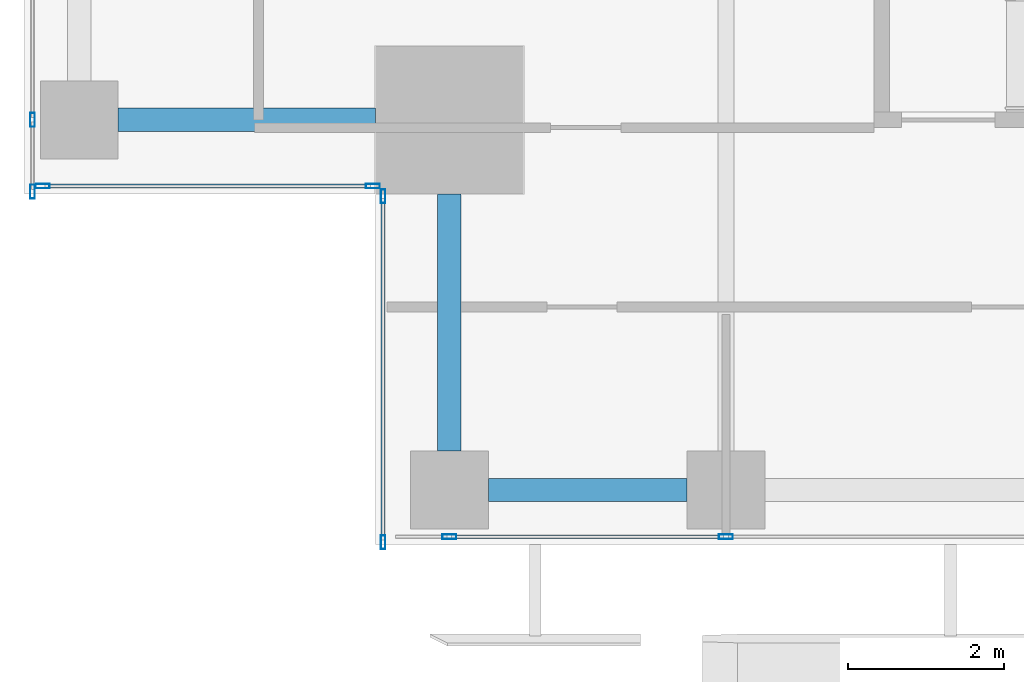
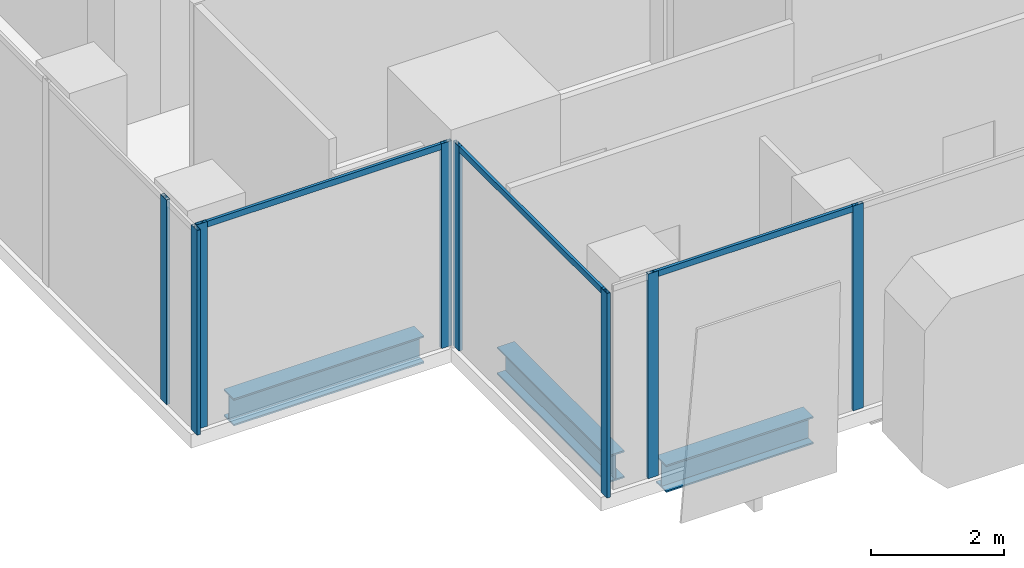
# One storey, part 2 of 38: 11 members, 3 beams, 4 elements without a shape of their own.
"""IFC4 building model written with IfcOpenShell, lengths in metres."""

from ifc_helpers import new_model, si_unit, direction, frame, origin, origin_2d, place, context, subcontext, project, spatial, hollow_rectangle, i_section, extrude, source, transform, mapped, material, material_profile, profile_set, type_object, element, aggregate, save


model = new_model("IFC4")

# Units and contexts
model_context = context("Model", 3, precision=1e-05, world=origin(), true_north=direction((0.0, 1.0)))
body_context = subcontext(model_context, "Body", "Model", "MODEL_VIEW")
ifc_project = project(units=[si_unit("LENGTHUNIT", "METRE"), si_unit("AREAUNIT", "SQUARE_METRE"), si_unit("VOLUMEUNIT", "CUBIC_METRE"), si_unit("PLANEANGLEUNIT", "RADIAN"), si_unit("MASSUNIT", "GRAM", prefix="KILO")], contexts=[model_context])

# Site, building, storey
site_placement = place(None, origin())
site = spatial("IfcSite", under=ifc_project, at=site_placement, CompositionType="ELEMENT")
building_placement = place(site_placement, origin())
building = spatial("IfcBuilding", under=site, at=building_placement, Name="Khomas Fold Tower", CompositionType="ELEMENT")
storey_placement = place(building_placement, frame((0.0, 0.0, 172.699951171875)))
storey = spatial("IfcBuildingStorey", under=building, at=storey_placement, Name="L37", CompositionType="ELEMENT", Elevation=172.699951171875)

# Beams
ifc_material_1 = material(Name="Steel S355", Category="steel")
ifc_material_profile_1 = material_profile(ifc_material_1, i_section(OverallWidth=0.300048828125, OverallDepth=0.5, WebThickness=0.014404296875, FlangeThickness=0.028076171875, at=origin_2d()), Name="HE 500 B")
ifc_profile_set_1 = profile_set([ifc_material_profile_1], Name="Steel S355")
beam_type = type_object("IfcBeamType", Name="HE 500 B spandrel SB3", PredefinedType="SPANDREL", material=ifc_profile_set_1)
shared_shape_1 = source(origin(), body_context, "Body", "SweptSolid", [
    extrude(i_section(OverallWidth=0.300048828125, OverallDepth=0.5, WebThickness=0.014404296875, FlangeThickness=0.028076171875, at=origin_2d()), origin(), (0.0, 0.0, 1.0), 2.550048828125),
])
beam_placement = place(storey_placement, frame((8.949951171875, 3.699951171875, -0.5), z_axis=(1.0, 0.0, 0.0), x_axis=(0.0, 1.0, 0.0)))
element("IfcBeam", 1, at=beam_placement, inside=storey, type_object=beam_type, Name="SB3", PredefinedType="SPANDREL", context=body_context, shape_type="MappedRepresentation", body=[
    mapped(shared_shape_1, transform((0.0, 0.0, 0.0))),
])
shared_shape_2 = source(origin(), body_context, "Body", "SweptSolid", [
    extrude(i_section(OverallWidth=0.300048828125, OverallDepth=0.5, WebThickness=0.014404296875, FlangeThickness=0.028076171875, at=origin_2d()), origin(), (0.0, 0.0, 1.0), 3.300048828125),
])
for number, where, z_axis, x_axis, name in (
    (2, (4.199951171875, 8.449951171875, -0.5), (1.0, 0.0, 0.0), (0.0, 1.0, 0.0), "SB3"),
    (3, (8.449951171875, 4.199951171875, -0.5), (0.0, 1.0, 0.0), (-1.0, 0.0, 0.0), "SB3"),
):
    element("IfcBeam", number, at=place(storey_placement, frame(where, z_axis=z_axis, x_axis=x_axis)), inside=storey, type_object=beam_type, Name=name, PredefinedType="SPANDREL", context=body_context, shape_type="MappedRepresentation", body=[
        mapped(shared_shape_2, transform((0.0, 0.0, 0.0))),
    ])

# Curtain wall, members
ifc_material_2 = material(Name="Aluminium framed double glazing", Category="aluminium")
curtain_wall_type = type_object("IfcCurtainWallType", Name="SK-Unitised clear-glass wall, office floors CW2", PredefinedType="NOTDEFINED", material=ifc_material_2)
curtain_wall_1_placement = place(storey_placement, origin())
curtain_wall_1 = element("IfcCurtainWall", 4, at=curtain_wall_1_placement, inside=storey, type_object=curtain_wall_type, Name="CW2 corner return L37 00", PredefinedType="NOTDEFINED")
ifc_material_3 = material(Name="Aluminium", Category="aluminium")
ifc_material_profile_2 = material_profile(ifc_material_3, hollow_rectangle(XDim=0.06005859375, YDim=0.179931640625, WallThickness=0.00390625, at=origin_2d()), Name="SK-Unitised clear-glass wall, office floors mullion CW2-M")
ifc_profile_set_2 = profile_set([ifc_material_profile_2], Name="Aluminium")
member_type_1 = type_object("IfcMemberType", Name="SK-Unitised clear-glass wall, office floors mullion CW2-M", PredefinedType="MULLION", material=ifc_profile_set_2)
shared_shape_3 = source(origin(), body_context, "Body", "SweptSolid", [
    extrude(hollow_rectangle(XDim=0.06005859375, YDim=0.179931640625, WallThickness=0.00390625, at=origin_2d()), origin(), (0.0, 0.0, 1.0), 3.75),
])
member_1_placement = place(storey_placement, frame((7.60009765625, 7.469970703125, 0.0), z_axis=(0.0, 0.0, 1.0), x_axis=(1.0, 0.0, 0.0)))
member_1 = element("IfcMember", 5, at=member_1_placement, type_object=member_type_1, Name="CW2 mullion 1", PredefinedType="MULLION", context=body_context, shape_type="MappedRepresentation", body=[
    mapped(shared_shape_3, transform((0.0, 0.0, 0.0))),
])
member_2_placement = place(storey_placement, frame((7.60009765625, 3.030029296875, 0.0), z_axis=(0.0, 0.0, 1.0), x_axis=(1.0, 0.0, 0.0)))
member_2 = element("IfcMember", 6, at=member_2_placement, type_object=member_type_1, Name="CW2 mullion 2", PredefinedType="MULLION", context=body_context, shape_type="MappedRepresentation", body=[
    mapped(shared_shape_3, transform((0.0, 0.0, 0.0))),
])

curtain_wall_2_placement = place(storey_placement, origin())
curtain_wall_2 = element("IfcCurtainWall", 7, at=curtain_wall_2_placement, inside=storey, type_object=curtain_wall_type, Name="CW2 run L37 01-0", PredefinedType="NOTDEFINED")
member_3_placement = place(storey_placement, frame((8.449951171875, 3.10009765625, 0.0), z_axis=(0.0, 0.0, 1.0), x_axis=(0.0, 1.0, 0.0)))
member_3 = element("IfcMember", 8, at=member_3_placement, type_object=member_type_1, Name="CW2 mullion 2", PredefinedType="MULLION", context=body_context, shape_type="MappedRepresentation", body=[
    mapped(shared_shape_3, transform((0.0, 0.0, 0.0))),
])
member_4_placement = place(storey_placement, frame((12.0, 3.10009765625, 0.0), z_axis=(0.0, 0.0, 1.0), x_axis=(0.0, 1.0, 0.0)))
member_4 = element("IfcMember", 9, at=member_4_placement, type_object=member_type_1, Name="CW2 mullion 3", PredefinedType="MULLION", context=body_context, shape_type="MappedRepresentation", body=[
    mapped(shared_shape_3, transform((0.0, 0.0, 0.0))),
])

curtain_wall_3_placement = place(storey_placement, origin())
curtain_wall_3 = element("IfcCurtainWall", 10, at=curtain_wall_3_placement, inside=storey, type_object=curtain_wall_type, Name="CW2 run L37 18-0", PredefinedType="NOTDEFINED")
member_5_placement = place(storey_placement, frame((3.10009765625, 8.449951171875, 0.0), z_axis=(0.0, 0.0, 1.0), x_axis=(1.0, 0.0, 0.0)))
member_5 = element("IfcMember", 11, at=member_5_placement, type_object=member_type_1, Name="CW2 mullion 8", PredefinedType="MULLION", context=body_context, shape_type="MappedRepresentation", body=[
    mapped(shared_shape_3, transform((0.0, 0.0, 0.0))),
])
member_6_placement = place(storey_placement, frame((3.10009765625, 7.530029296875, 0.0), z_axis=(0.0, 0.0, 1.0), x_axis=(1.0, 0.0, 0.0)))
member_6 = element("IfcMember", 12, at=member_6_placement, type_object=member_type_1, Name="CW2 mullion 9", PredefinedType="MULLION", context=body_context, shape_type="MappedRepresentation", body=[
    mapped(shared_shape_3, transform((0.0, 0.0, 0.0))),
])
aggregate(curtain_wall_3, [member_5, member_6])

curtain_wall_4_placement = place(storey_placement, origin())
curtain_wall_4 = element("IfcCurtainWall", 13, at=curtain_wall_4_placement, inside=storey, type_object=curtain_wall_type, Name="CW2 corner return L37 19", PredefinedType="NOTDEFINED")
member_7_placement = place(storey_placement, frame((3.22998046875, 7.60009765625, 0.0), z_axis=(0.0, 0.0, 1.0), x_axis=(0.0, 1.0, 0.0)))
member_7 = element("IfcMember", 14, at=member_7_placement, type_object=member_type_1, Name="CW2 mullion 1", PredefinedType="MULLION", context=body_context, shape_type="MappedRepresentation", body=[
    mapped(shared_shape_3, transform((0.0, 0.0, 0.0))),
])
member_8_placement = place(storey_placement, frame((7.469970703125, 7.60009765625, 0.0), z_axis=(0.0, 0.0, 1.0), x_axis=(0.0, 1.0, 0.0)))
member_8 = element("IfcMember", 15, at=member_8_placement, type_object=member_type_1, Name="CW2 mullion 2", PredefinedType="MULLION", context=body_context, shape_type="MappedRepresentation", body=[
    mapped(shared_shape_3, transform((0.0, 0.0, 0.0))),
])

# Member
ifc_material_4 = material(Name="Aluminium", Category="aluminium")
ifc_material_profile_3 = material_profile(ifc_material_4, hollow_rectangle(XDim=0.050048828125, YDim=0.110107421875, WallThickness=0.00390625, at=origin_2d()), Name="SK-Unitised clear-glass wall, office floors transom CW2-T")
ifc_profile_set_3 = profile_set([ifc_material_profile_3], Name="Aluminium")
member_type_2 = type_object("IfcMemberType", Name="SK-Unitised clear-glass wall, office floors transom CW2-T", PredefinedType="USERDEFINED", material=ifc_profile_set_3)
shared_shape_4 = source(origin(), body_context, "Body", "SweptSolid", [
    extrude(hollow_rectangle(XDim=0.050048828125, YDim=0.110107421875, WallThickness=0.00390625, at=origin_2d()), origin(), (0.0, 0.0, 1.0), 4.3798828125),
])
member_9_placement = place(storey_placement, frame((7.60009765625, 7.43994140625, 3.695068359375), z_axis=(0.0, -1.0, 0.0), x_axis=(1.0, 0.0, 0.0)))
member_9 = element("IfcMember", 16, at=member_9_placement, type_object=member_type_2, Name="CW2 transom 1", ObjectType="TRANSOM", PredefinedType="USERDEFINED", context=body_context, shape_type="MappedRepresentation", body=[
    mapped(shared_shape_4, transform((0.0, 0.0, 0.0))),
])

aggregate(curtain_wall_1, [member_1, member_2, member_9])

shared_shape_5 = source(origin(), body_context, "Body", "SweptSolid", [
    extrude(hollow_rectangle(XDim=0.050048828125, YDim=0.110107421875, WallThickness=0.00390625, at=origin_2d()), origin(), (0.0, 0.0, 1.0), 3.489990234375),
])
member_10_placement = place(storey_placement, frame((8.47998046875, 3.10009765625, 3.695068359375), z_axis=(1.0, 0.0, 0.0), x_axis=(0.0, 1.0, 0.0)))
member_10 = element("IfcMember", 17, at=member_10_placement, type_object=member_type_2, Name="CW2 transom 2", ObjectType="TRANSOM", PredefinedType="USERDEFINED", context=body_context, shape_type="MappedRepresentation", body=[
    mapped(shared_shape_5, transform((0.0, 0.0, 0.0))),
])

aggregate(curtain_wall_2, [member_3, member_4, member_10])

shared_shape_6 = source(origin(), body_context, "Body", "SweptSolid", [
    extrude(hollow_rectangle(XDim=0.050048828125, YDim=0.110107421875, WallThickness=0.00390625, at=origin_2d()), origin(), (0.0, 0.0, 1.0), 4.179931640625),
])
member_11_placement = place(storey_placement, frame((3.260009765625, 7.60009765625, 3.695068359375), z_axis=(1.0, 0.0, 0.0), x_axis=(0.0, 1.0, 0.0)))
member_11 = element("IfcMember", 18, at=member_11_placement, type_object=member_type_2, Name="CW2 transom 1", ObjectType="TRANSOM", PredefinedType="USERDEFINED", context=body_context, shape_type="MappedRepresentation", body=[
    mapped(shared_shape_6, transform((0.0, 0.0, 0.0))),
])

aggregate(curtain_wall_4, [member_7, member_8, member_11])

save(model, "model.ifc")
